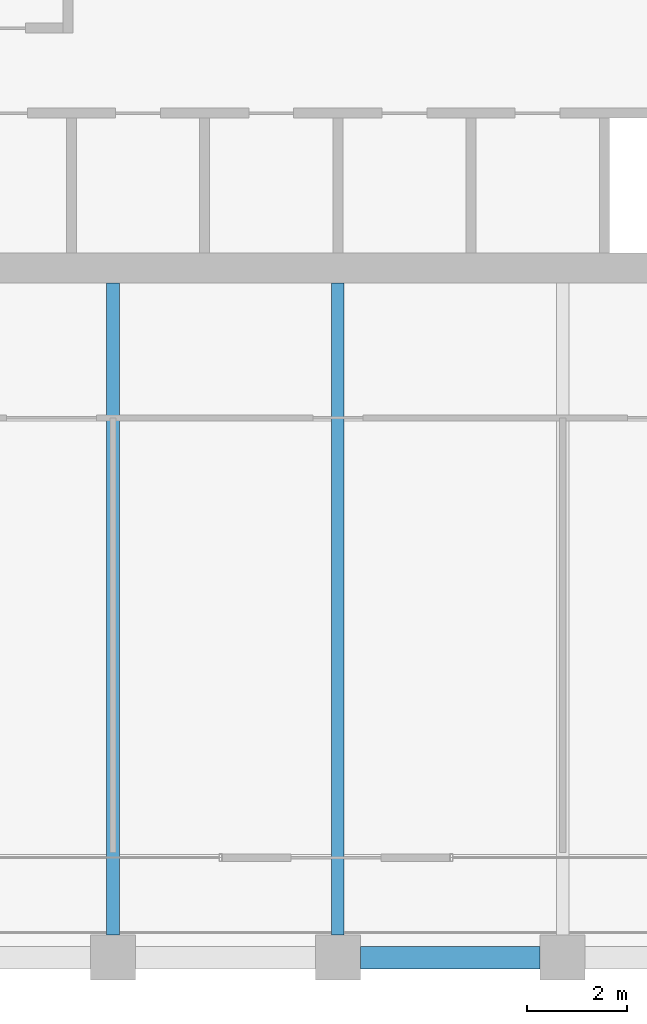
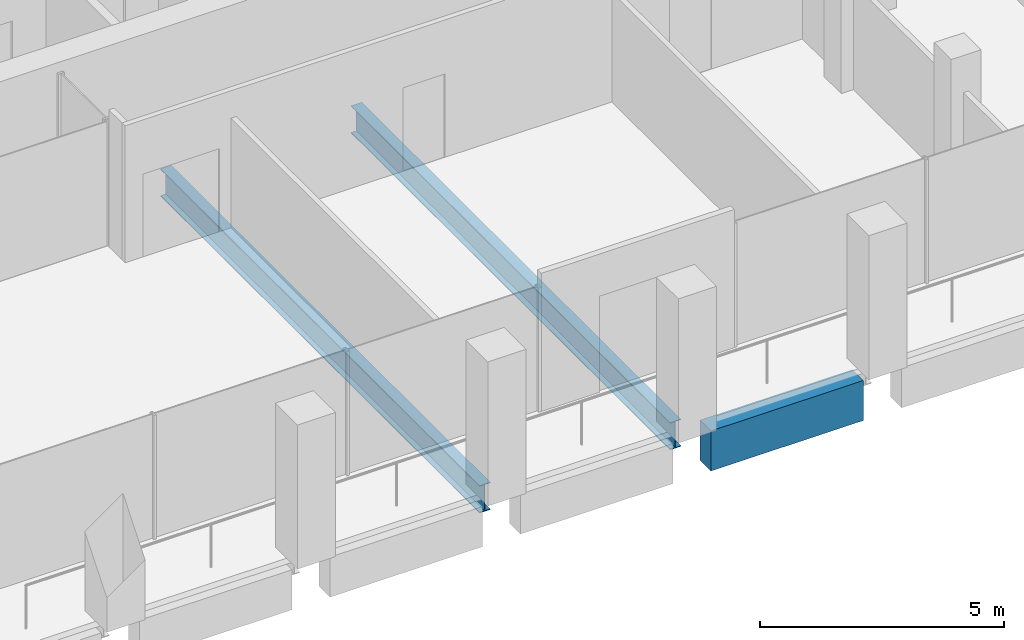
# One storey, part 8 of 40: 3 beams.
"""IFC4 building model written with IfcOpenShell, lengths in metres."""

from ifc_helpers import new_model, si_unit, direction, frame, origin, origin_2d, place, context, subcontext, project, spatial, rectangle, i_section, extrude, material, material_profile, profile_set, type_object, element, save


model = new_model("IFC4")

# Units and contexts
model_context = context("Model", 3, precision=1e-05, world=origin(), true_north=direction((0.0, 1.0)))
body_context = subcontext(model_context, "Body", "Model", "MODEL_VIEW")
ifc_project = project(units=[si_unit("LENGTHUNIT", "METRE"), si_unit("AREAUNIT", "SQUARE_METRE"), si_unit("VOLUMEUNIT", "CUBIC_METRE"), si_unit("PLANEANGLEUNIT", "RADIAN"), si_unit("MASSUNIT", "GRAM", prefix="KILO")], contexts=[model_context])

# Site, building, storey
site_placement = place(None, origin())
site = spatial("IfcSite", under=ifc_project, at=site_placement, CompositionType="ELEMENT")
building_placement = place(site_placement, origin())
building = spatial("IfcBuilding", under=site, at=building_placement, Name="Altepetl Exchange Towers", CompositionType="ELEMENT")
storey_placement = place(building_placement, frame((0.0, 0.0, 169.0)))
storey = spatial("IfcBuildingStorey", under=building, at=storey_placement, Name="L42", CompositionType="ELEMENT", Elevation=169.0)

# Beams
ifc_material_1 = material(Name="Steel S355", Category="steel")
ifc_material_profile_1 = material_profile(ifc_material_1, i_section(OverallWidth=0.25390625, OverallDepth=0.68408203125, WebThickness=0.012451171875, FlangeThickness=0.018798828125, at=origin_2d()), Name="W27X94")
ifc_profile_set_1 = profile_set([ifc_material_profile_1], Name="Steel S355")
beam_type_1 = type_object("IfcBeamType", Name="Floor beam W27X94", PredefinedType="BEAM", material=ifc_profile_set_1)
for number, where, z_axis, x_axis, name in (
    (1, (45.0, 27.449951171875, -0.491943359375), (0.0, 1.0, 0.0), (-1.0, 0.0, 0.0), "bm:A:L42:015"),
    (2, (49.5, 27.449951171875, -0.491943359375), (0.0, 1.0, 0.0), (-1.0, 0.0, 0.0), "bm:A:L42:016"),
):
    element("IfcBeam", number, at=place(storey_placement, frame(where, z_axis=z_axis, x_axis=x_axis)), inside=storey, type_object=beam_type_1, Name=name, PredefinedType="BEAM", context=body_context, shape_type="SweptSolid", body=[
        extrude(i_section(OverallWidth=0.25390625, OverallDepth=0.68408203125, WebThickness=0.012451171875, FlangeThickness=0.018798828125, at=origin_2d()), origin(), (0.0, 0.0, 1.0), 13.050048828125),
    ])
ifc_material_2 = material(Name="Concrete C50/60 precast with cantera blanca facing", Category="concrete")
ifc_material_profile_2 = material_profile(ifc_material_2, rectangle(XDim=0.449951171875, YDim=1.0, at=origin_2d()), Name="450 x 1000")
ifc_profile_set_2 = profile_set([ifc_material_profile_2], Name="Concrete C50/60 precast with cantera blanca facing")
beam_type_2 = type_object("IfcBeamType", Name="Spandrel beam 450x1000 cantera blanca", PredefinedType="SPANDREL", material=ifc_profile_set_2)
beam_placement = place(storey_placement, frame((49.949951171875, 27.0, -0.64990234375), z_axis=(1.0, 0.0, 0.0), x_axis=(0.0, 1.0, 0.0)))
element("IfcBeam", 3, at=beam_placement, inside=storey, type_object=beam_type_2, Name="sp:A:L42:004", PredefinedType="SPANDREL", context=body_context, shape_type="SweptSolid", body=[
    extrude(rectangle(XDim=0.449951171875, YDim=1.0, at=origin_2d()), origin(), (0.0, 0.0, 1.0), 3.60009765625),
])

save(model, "model.ifc")
